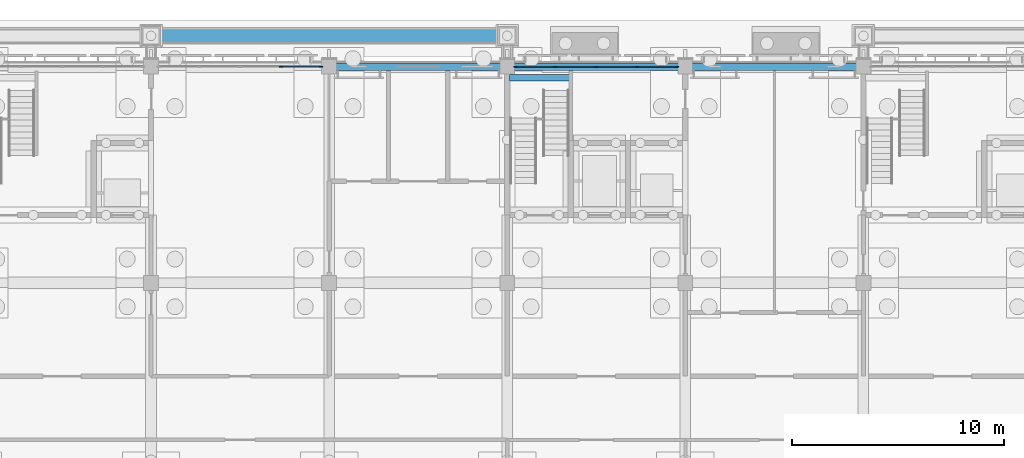
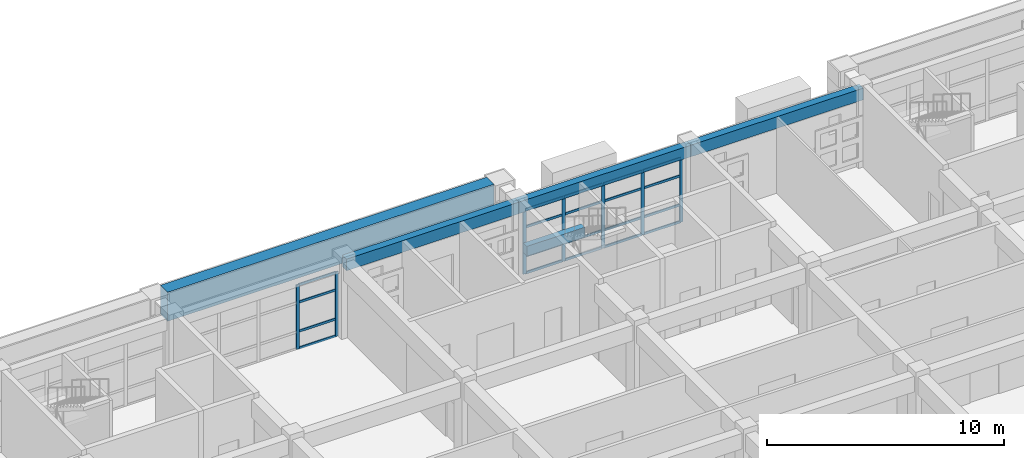
# One storey, part 41 of 112: 27 members, 5 beams, 2 elements without a shape of their own.
"""IFC4 building model written with IfcOpenShell, lengths in metres."""

from ifc_helpers import new_model, si_unit, direction, frame, origin, origin_2d, place, context, subcontext, project, spatial, rectangle, extrude, material, layer, layer_set, material_profile, profile_set, type_object, element, aggregate, save


model = new_model("IFC4")

# Units and contexts
model_context = context("Model", 3, precision=1e-05, world=origin(), true_north=direction((0.0, 1.0)))
body_context = subcontext(model_context, "Body", "Model", "MODEL_VIEW")
ifc_project = project(units=[si_unit("LENGTHUNIT", "METRE"), si_unit("AREAUNIT", "SQUARE_METRE"), si_unit("VOLUMEUNIT", "CUBIC_METRE"), si_unit("PLANEANGLEUNIT", "RADIAN"), si_unit("MASSUNIT", "GRAM", prefix="KILO")], contexts=[model_context])

# Site, building, storey
site_placement = place(None, origin())
site = spatial("IfcSite", under=ifc_project, at=site_placement, CompositionType="ELEMENT")
building_placement = place(site_placement, origin())
building = spatial("IfcBuilding", under=site, at=building_placement, Name="Wasatch Bagh Community Centre", CompositionType="ELEMENT")
storey_placement = place(building_placement, origin())
storey = spatial("IfcBuildingStorey", under=building, at=storey_placement, Name="L00", CompositionType="ELEMENT", Elevation=0.0)

# Beams
ifc_material_1 = material(Name="Concrete C35", Category="concrete")
ifc_material_profile_1 = material_profile(ifc_material_1, rectangle(XDim=0.300048828125, YDim=0.5, at=origin_2d()), Name="RC 300x500")
ifc_profile_set_1 = profile_set([ifc_material_profile_1], Name="Concrete C35")
beam_type_1 = type_object("IfcBeamType", Name="LW RC 300x500", PredefinedType="BEAM", material=ifc_profile_set_1)
beam_1_placement = place(storey_placement, frame((106.10498046875, 97.280029296875, 1.64990234375), z_axis=(1.0, 0.0, 0.0), x_axis=(0.0, 1.0, 0.0)))
element("IfcBeam", 1, at=beam_1_placement, inside=storey, type_object=beam_type_1, Name="LW.lbeam.L00.C2", PredefinedType="BEAM", context=body_context, shape_type="SweptSolid", body=[
    extrude(rectangle(XDim=0.300048828125, YDim=0.5, at=origin_2d()), origin(), (0.0, 0.0, 1.0), 2.840087890625),
])
ifc_material_profile_2 = material_profile(ifc_material_1, rectangle(XDim=0.35009765625, YDim=0.60009765625, at=origin_2d()), Name="RC 350x600")
ifc_profile_set_2 = profile_set([ifc_material_profile_2], Name="Concrete C35")
beam_type_2 = type_object("IfcBeamType", Name="LW RC 350x600", PredefinedType="BEAM", material=ifc_profile_set_2)
for number, where, z_axis, x_axis, name in (
    (2, (97.60009765625, 97.800048828125, 3.6201171875), (1.0, 0.0, 0.0), (0.0, 1.0, 0.0), "W5-W6N"),
    (3, (106.0, 97.800048828125, 3.6201171875), (1.0, 0.0, 0.0), (0.0, 1.0, 0.0), "W6-W7N"),
):
    element("IfcBeam", number, at=place(storey_placement, frame(where, z_axis=z_axis, x_axis=x_axis)), inside=storey, type_object=beam_type_2, Name=name, PredefinedType="BEAM", context=body_context, shape_type="SweptSolid", body=[
        extrude(rectangle(XDim=0.35009765625, YDim=0.60009765625, at=origin_2d()), origin(), (0.0, 0.0, 1.0), 8.39990234375),
    ])
beam_2_placement = place(storey_placement, frame((114.39990234375, 97.800048828125, 3.6201171875), z_axis=(1.0, 0.0, 0.0), x_axis=(0.0, 1.0, 0.0)))
element("IfcBeam", 4, at=beam_2_placement, inside=storey, type_object=beam_type_2, Name="W7-W8N", PredefinedType="BEAM", context=body_context, shape_type="SweptSolid", body=[
    extrude(rectangle(XDim=0.35009765625, YDim=0.60009765625, at=origin_2d()), origin(), (0.0, 0.0, 1.0), 8.400146484375),
])

# Curtain wall, members
ifc_material_2 = material(Name="Aluminium curtain wall frame with low-iron glass", Category="aluminium")
ifc_layer_1 = layer(ifc_material_2, 0.10009765625)
ifc_layer_set_1 = layer_set([ifc_layer_1], Name="Aluminium curtain wall frame with low-iron glass")
curtain_wall_type_1 = type_object("IfcCurtainWallType", Name="LW curtain wall 100", PredefinedType="NOTDEFINED", material=ifc_layer_set_1)
curtain_wall_1_placement = place(storey_placement, origin())
curtain_wall_1 = element("IfcCurtainWall", 5, at=curtain_wall_1_placement, inside=storey, type_object=curtain_wall_type_1, Name="Curtain wall 00.09", PredefinedType="NOTDEFINED")
ifc_material_3 = material(Name="Aluminium extrusion", Category="aluminium")
ifc_material_profile_3 = material_profile(ifc_material_3, rectangle(XDim=0.06005859375, YDim=0.159912109375, at=origin_2d()), Name="AL 60x160")
ifc_profile_set_3 = profile_set([ifc_material_profile_3], Name="Aluminium extrusion")
member_type_1 = type_object("IfcMemberType", Name="LW curtain wall mullion 60x160", PredefinedType="MULLION", material=ifc_profile_set_3)
member_1_placement = place(storey_placement, frame((106.3798828125, 97.800048828125, 0.0), z_axis=(0.0, 0.0, 1.0), x_axis=(0.0, 1.0, 0.0)))
member_1 = element("IfcMember", 6, at=member_1_placement, type_object=member_type_1, Name="LW-CW1 mullion 1", PredefinedType="MULLION", context=body_context, shape_type="SweptSolid", body=[
    extrude(rectangle(XDim=0.06005859375, YDim=0.159912109375, at=origin_2d()), origin(), (0.0, 0.0, 1.0), 3.320068359375),
])
member_2_placement = place(storey_placement, frame((108.27490234375, 97.800048828125, 0.0), z_axis=(0.0, 0.0, 1.0), x_axis=(0.0, 1.0, 0.0)))
member_2 = element("IfcMember", 7, at=member_2_placement, type_object=member_type_1, Name="LW-CW1 mullion 2", PredefinedType="MULLION", context=body_context, shape_type="SweptSolid", body=[
    extrude(rectangle(XDim=0.06005859375, YDim=0.159912109375, at=origin_2d()), origin(), (0.0, 0.0, 1.0), 3.320068359375),
])
member_3_placement = place(storey_placement, frame((110.199951171875, 97.800048828125, 0.0), z_axis=(0.0, 0.0, 1.0), x_axis=(0.0, 1.0, 0.0)))
member_3 = element("IfcMember", 8, at=member_3_placement, type_object=member_type_1, Name="LW-CW1 mullion 3", PredefinedType="MULLION", context=body_context, shape_type="SweptSolid", body=[
    extrude(rectangle(XDim=0.06005859375, YDim=0.159912109375, at=origin_2d()), origin(), (0.0, 0.0, 1.0), 3.320068359375),
])
member_4_placement = place(storey_placement, frame((112.125, 97.800048828125, 0.0), z_axis=(0.0, 0.0, 1.0), x_axis=(0.0, 1.0, 0.0)))
member_4 = element("IfcMember", 9, at=member_4_placement, type_object=member_type_1, Name="LW-CW1 mullion 4", PredefinedType="MULLION", context=body_context, shape_type="SweptSolid", body=[
    extrude(rectangle(XDim=0.06005859375, YDim=0.159912109375, at=origin_2d()), origin(), (0.0, 0.0, 1.0), 3.320068359375),
])
member_5_placement = place(storey_placement, frame((114.02001953125, 97.800048828125, 0.0), z_axis=(0.0, 0.0, 1.0), x_axis=(0.0, 1.0, 0.0)))
member_5 = element("IfcMember", 10, at=member_5_placement, type_object=member_type_1, Name="LW-CW1 mullion 5", PredefinedType="MULLION", context=body_context, shape_type="SweptSolid", body=[
    extrude(rectangle(XDim=0.06005859375, YDim=0.159912109375, at=origin_2d()), origin(), (0.0, 0.0, 1.0), 3.320068359375),
])

ifc_layer_2 = layer(ifc_material_2, 0.1201171875)
ifc_layer_set_2 = layer_set([ifc_layer_2], Name="Aluminium curtain wall frame with low-iron glass")
curtain_wall_type_2 = type_object("IfcCurtainWallType", Name="LW study front curtain wall 120", PredefinedType="NOTDEFINED", material=ifc_layer_set_2)
curtain_wall_2_placement = place(storey_placement, origin())
curtain_wall_2 = element("IfcCurtainWall", 11, at=curtain_wall_2_placement, inside=storey, type_object=curtain_wall_type_2, Name="Curtain wall 00.08", PredefinedType="NOTDEFINED")
ifc_material_profile_4 = material_profile(ifc_material_3, rectangle(XDim=0.06005859375, YDim=0.159912109375, at=origin_2d()), Name="AL 60x160")
ifc_profile_set_4 = profile_set([ifc_material_profile_4], Name="Aluminium extrusion")
member_type_2 = type_object("IfcMemberType", Name="LW curtain wall mullion 60x160 LW-CW2", PredefinedType="MULLION", material=ifc_profile_set_4)
member_6_placement = place(storey_placement, frame((95.324951171875, 97.800048828125, 0.0), z_axis=(0.0, 0.0, 1.0), x_axis=(0.0, 1.0, 0.0)))
member_6 = element("IfcMember", 12, at=member_6_placement, type_object=member_type_2, Name="LW-CW2 mullion 4", PredefinedType="MULLION", context=body_context, shape_type="SweptSolid", body=[
    extrude(rectangle(XDim=0.06005859375, YDim=0.159912109375, at=origin_2d()), origin(), (0.0, 0.0, 1.0), 3.320068359375),
])
member_7_placement = place(storey_placement, frame((97.219970703125, 97.800048828125, 0.0), z_axis=(0.0, 0.0, 1.0), x_axis=(0.0, 1.0, 0.0)))
member_7 = element("IfcMember", 13, at=member_7_placement, type_object=member_type_2, Name="LW-CW2 mullion 5", PredefinedType="MULLION", context=body_context, shape_type="SweptSolid", body=[
    extrude(rectangle(XDim=0.06005859375, YDim=0.159912109375, at=origin_2d()), origin(), (0.0, 0.0, 1.0), 3.320068359375),
])

# Member
ifc_material_profile_5 = material_profile(ifc_material_3, rectangle(XDim=0.06005859375, YDim=0.1201171875, at=origin_2d()), Name="AL 60x120")
ifc_profile_set_5 = profile_set([ifc_material_profile_5], Name="Aluminium extrusion")
member_type_3 = type_object("IfcMemberType", Name="LW curtain wall transom 60x120", PredefinedType="USERDEFINED", material=ifc_profile_set_5)
member_8_placement = place(storey_placement, frame((106.409912109375, 97.800048828125, 0.030029296875), z_axis=(1.0, 0.0, 0.0), x_axis=(0.0, 1.0, 0.0)))
member_8 = element("IfcMember", 14, at=member_8_placement, type_object=member_type_3, Name="LW-CW1 transom 1.1", ObjectType="TRANSOM", PredefinedType="USERDEFINED", context=body_context, shape_type="SweptSolid", body=[
    extrude(rectangle(XDim=0.06005859375, YDim=0.1201171875, at=origin_2d()), origin(), (0.0, 0.0, 1.0), 1.835205078125),
])

member_9_placement = place(storey_placement, frame((106.409912109375, 97.800048828125, 0.89990234375), z_axis=(1.0, 0.0, 0.0), x_axis=(0.0, 1.0, 0.0)))
member_9 = element("IfcMember", 15, at=member_9_placement, type_object=member_type_3, Name="LW-CW1 transom 1.2", ObjectType="TRANSOM", PredefinedType="USERDEFINED", context=body_context, shape_type="SweptSolid", body=[
    extrude(rectangle(XDim=0.06005859375, YDim=0.1201171875, at=origin_2d()), origin(), (0.0, 0.0, 1.0), 1.835205078125),
])

member_10_placement = place(storey_placement, frame((106.409912109375, 97.800048828125, 2.39990234375), z_axis=(1.0, 0.0, 0.0), x_axis=(0.0, 1.0, 0.0)))
member_10 = element("IfcMember", 16, at=member_10_placement, type_object=member_type_3, Name="LW-CW1 transom 1.3", ObjectType="TRANSOM", PredefinedType="USERDEFINED", context=body_context, shape_type="SweptSolid", body=[
    extrude(rectangle(XDim=0.06005859375, YDim=0.1201171875, at=origin_2d()), origin(), (0.0, 0.0, 1.0), 1.835205078125),
])

member_11_placement = place(storey_placement, frame((106.409912109375, 97.800048828125, 3.2900390625), z_axis=(1.0, 0.0, 0.0), x_axis=(0.0, 1.0, 0.0)))
member_11 = element("IfcMember", 17, at=member_11_placement, type_object=member_type_3, Name="LW-CW1 transom 1.4", ObjectType="TRANSOM", PredefinedType="USERDEFINED", context=body_context, shape_type="SweptSolid", body=[
    extrude(rectangle(XDim=0.06005859375, YDim=0.1201171875, at=origin_2d()), origin(), (0.0, 0.0, 1.0), 1.835205078125),
])

member_12_placement = place(storey_placement, frame((108.304931640625, 97.800048828125, 0.030029296875), z_axis=(1.0, 0.0, 0.0), x_axis=(0.0, 1.0, 0.0)))
member_12 = element("IfcMember", 18, at=member_12_placement, type_object=member_type_3, Name="LW-CW1 transom 2.1", ObjectType="TRANSOM", PredefinedType="USERDEFINED", context=body_context, shape_type="SweptSolid", body=[
    extrude(rectangle(XDim=0.06005859375, YDim=0.1201171875, at=origin_2d()), origin(), (0.0, 0.0, 1.0), 1.864990234375),
])

member_13_placement = place(storey_placement, frame((108.304931640625, 97.800048828125, 0.89990234375), z_axis=(1.0, 0.0, 0.0), x_axis=(0.0, 1.0, 0.0)))
member_13 = element("IfcMember", 19, at=member_13_placement, type_object=member_type_3, Name="LW-CW1 transom 2.2", ObjectType="TRANSOM", PredefinedType="USERDEFINED", context=body_context, shape_type="SweptSolid", body=[
    extrude(rectangle(XDim=0.06005859375, YDim=0.1201171875, at=origin_2d()), origin(), (0.0, 0.0, 1.0), 1.864990234375),
])

member_14_placement = place(storey_placement, frame((108.304931640625, 97.800048828125, 2.39990234375), z_axis=(1.0, 0.0, 0.0), x_axis=(0.0, 1.0, 0.0)))
member_14 = element("IfcMember", 20, at=member_14_placement, type_object=member_type_3, Name="LW-CW1 transom 2.3", ObjectType="TRANSOM", PredefinedType="USERDEFINED", context=body_context, shape_type="SweptSolid", body=[
    extrude(rectangle(XDim=0.06005859375, YDim=0.1201171875, at=origin_2d()), origin(), (0.0, 0.0, 1.0), 1.864990234375),
])

member_15_placement = place(storey_placement, frame((108.304931640625, 97.800048828125, 3.2900390625), z_axis=(1.0, 0.0, 0.0), x_axis=(0.0, 1.0, 0.0)))
member_15 = element("IfcMember", 21, at=member_15_placement, type_object=member_type_3, Name="LW-CW1 transom 2.4", ObjectType="TRANSOM", PredefinedType="USERDEFINED", context=body_context, shape_type="SweptSolid", body=[
    extrude(rectangle(XDim=0.06005859375, YDim=0.1201171875, at=origin_2d()), origin(), (0.0, 0.0, 1.0), 1.864990234375),
])

member_16_placement = place(storey_placement, frame((110.22998046875, 97.800048828125, 0.030029296875), z_axis=(1.0, 0.0, 0.0), x_axis=(0.0, 1.0, 0.0)))
member_16 = element("IfcMember", 22, at=member_16_placement, type_object=member_type_3, Name="LW-CW1 transom 3.1", ObjectType="TRANSOM", PredefinedType="USERDEFINED", context=body_context, shape_type="SweptSolid", body=[
    extrude(rectangle(XDim=0.06005859375, YDim=0.1201171875, at=origin_2d()), origin(), (0.0, 0.0, 1.0), 1.864990234375),
])

member_17_placement = place(storey_placement, frame((110.22998046875, 97.800048828125, 0.89990234375), z_axis=(1.0, 0.0, 0.0), x_axis=(0.0, 1.0, 0.0)))
member_17 = element("IfcMember", 23, at=member_17_placement, type_object=member_type_3, Name="LW-CW1 transom 3.2", ObjectType="TRANSOM", PredefinedType="USERDEFINED", context=body_context, shape_type="SweptSolid", body=[
    extrude(rectangle(XDim=0.06005859375, YDim=0.1201171875, at=origin_2d()), origin(), (0.0, 0.0, 1.0), 1.864990234375),
])

member_18_placement = place(storey_placement, frame((110.22998046875, 97.800048828125, 2.39990234375), z_axis=(1.0, 0.0, 0.0), x_axis=(0.0, 1.0, 0.0)))
member_18 = element("IfcMember", 24, at=member_18_placement, type_object=member_type_3, Name="LW-CW1 transom 3.3", ObjectType="TRANSOM", PredefinedType="USERDEFINED", context=body_context, shape_type="SweptSolid", body=[
    extrude(rectangle(XDim=0.06005859375, YDim=0.1201171875, at=origin_2d()), origin(), (0.0, 0.0, 1.0), 1.864990234375),
])

member_19_placement = place(storey_placement, frame((110.22998046875, 97.800048828125, 3.2900390625), z_axis=(1.0, 0.0, 0.0), x_axis=(0.0, 1.0, 0.0)))
member_19 = element("IfcMember", 25, at=member_19_placement, type_object=member_type_3, Name="LW-CW1 transom 3.4", ObjectType="TRANSOM", PredefinedType="USERDEFINED", context=body_context, shape_type="SweptSolid", body=[
    extrude(rectangle(XDim=0.06005859375, YDim=0.1201171875, at=origin_2d()), origin(), (0.0, 0.0, 1.0), 1.864990234375),
])

member_20_placement = place(storey_placement, frame((112.155029296875, 97.800048828125, 0.030029296875), z_axis=(1.0, 0.0, 0.0), x_axis=(0.0, 1.0, 0.0)))
member_20 = element("IfcMember", 26, at=member_20_placement, type_object=member_type_3, Name="LW-CW1 transom 4.1", ObjectType="TRANSOM", PredefinedType="USERDEFINED", context=body_context, shape_type="SweptSolid", body=[
    extrude(rectangle(XDim=0.06005859375, YDim=0.1201171875, at=origin_2d()), origin(), (0.0, 0.0, 1.0), 1.8349609375),
])

member_21_placement = place(storey_placement, frame((112.155029296875, 97.800048828125, 0.89990234375), z_axis=(1.0, 0.0, 0.0), x_axis=(0.0, 1.0, 0.0)))
member_21 = element("IfcMember", 27, at=member_21_placement, type_object=member_type_3, Name="LW-CW1 transom 4.2", ObjectType="TRANSOM", PredefinedType="USERDEFINED", context=body_context, shape_type="SweptSolid", body=[
    extrude(rectangle(XDim=0.06005859375, YDim=0.1201171875, at=origin_2d()), origin(), (0.0, 0.0, 1.0), 1.8349609375),
])

member_22_placement = place(storey_placement, frame((112.155029296875, 97.800048828125, 2.39990234375), z_axis=(1.0, 0.0, 0.0), x_axis=(0.0, 1.0, 0.0)))
member_22 = element("IfcMember", 28, at=member_22_placement, type_object=member_type_3, Name="LW-CW1 transom 4.3", ObjectType="TRANSOM", PredefinedType="USERDEFINED", context=body_context, shape_type="SweptSolid", body=[
    extrude(rectangle(XDim=0.06005859375, YDim=0.1201171875, at=origin_2d()), origin(), (0.0, 0.0, 1.0), 1.8349609375),
])

member_23_placement = place(storey_placement, frame((112.155029296875, 97.800048828125, 3.2900390625), z_axis=(1.0, 0.0, 0.0), x_axis=(0.0, 1.0, 0.0)))
member_23 = element("IfcMember", 29, at=member_23_placement, type_object=member_type_3, Name="LW-CW1 transom 4.4", ObjectType="TRANSOM", PredefinedType="USERDEFINED", context=body_context, shape_type="SweptSolid", body=[
    extrude(rectangle(XDim=0.06005859375, YDim=0.1201171875, at=origin_2d()), origin(), (0.0, 0.0, 1.0), 1.8349609375),
])

aggregate(curtain_wall_1, [member_1, member_2, member_3, member_4, member_5, member_8, member_9, member_10, member_11, member_12, member_13, member_14, member_15, member_16, member_17, member_18, member_19, member_20, member_21, member_22, member_23])

ifc_material_profile_6 = material_profile(ifc_material_3, rectangle(XDim=0.06005859375, YDim=0.1201171875, at=origin_2d()), Name="AL 60x120")
ifc_profile_set_6 = profile_set([ifc_material_profile_6], Name="Aluminium extrusion")
member_type_4 = type_object("IfcMemberType", Name="LW curtain wall transom 60x120 LW-CW2", PredefinedType="USERDEFINED", material=ifc_profile_set_6)
member_24_placement = place(storey_placement, frame((95.35498046875, 97.800048828125, 0.030029296875), z_axis=(1.0, 0.0, 0.0), x_axis=(0.0, 1.0, 0.0)))
member_24 = element("IfcMember", 30, at=member_24_placement, type_object=member_type_4, Name="LW-CW2 transom 4.1", ObjectType="TRANSOM", PredefinedType="USERDEFINED", context=body_context, shape_type="SweptSolid", body=[
    extrude(rectangle(XDim=0.06005859375, YDim=0.1201171875, at=origin_2d()), origin(), (0.0, 0.0, 1.0), 1.8349609375),
])

member_25_placement = place(storey_placement, frame((95.35498046875, 97.800048828125, 0.89990234375), z_axis=(1.0, 0.0, 0.0), x_axis=(0.0, 1.0, 0.0)))
member_25 = element("IfcMember", 31, at=member_25_placement, type_object=member_type_4, Name="LW-CW2 transom 4.2", ObjectType="TRANSOM", PredefinedType="USERDEFINED", context=body_context, shape_type="SweptSolid", body=[
    extrude(rectangle(XDim=0.06005859375, YDim=0.1201171875, at=origin_2d()), origin(), (0.0, 0.0, 1.0), 1.8349609375),
])

member_26_placement = place(storey_placement, frame((95.35498046875, 97.800048828125, 2.39990234375), z_axis=(1.0, 0.0, 0.0), x_axis=(0.0, 1.0, 0.0)))
member_26 = element("IfcMember", 32, at=member_26_placement, type_object=member_type_4, Name="LW-CW2 transom 4.3", ObjectType="TRANSOM", PredefinedType="USERDEFINED", context=body_context, shape_type="SweptSolid", body=[
    extrude(rectangle(XDim=0.06005859375, YDim=0.1201171875, at=origin_2d()), origin(), (0.0, 0.0, 1.0), 1.8349609375),
])

member_27_placement = place(storey_placement, frame((95.35498046875, 97.800048828125, 3.2900390625), z_axis=(1.0, 0.0, 0.0), x_axis=(0.0, 1.0, 0.0)))
member_27 = element("IfcMember", 33, at=member_27_placement, type_object=member_type_4, Name="LW-CW2 transom 4.4", ObjectType="TRANSOM", PredefinedType="USERDEFINED", context=body_context, shape_type="SweptSolid", body=[
    extrude(rectangle(XDim=0.06005859375, YDim=0.1201171875, at=origin_2d()), origin(), (0.0, 0.0, 1.0), 1.8349609375),
])

aggregate(curtain_wall_2, [member_6, member_7, member_24, member_25, member_26, member_27])

# Beam
ifc_material_profile_7 = material_profile(ifc_material_1, rectangle(XDim=0.60009765625, YDim=1.5, at=origin_2d()), Name="RC 600x1500")
ifc_profile_set_7 = profile_set([ifc_material_profile_7], Name="Concrete C35")
beam_type_3 = type_object("IfcBeamType", Name="LW-B7", PredefinedType="BEAM", material=ifc_profile_set_7)
beam_3_placement = place(storey_placement, frame((89.64990234375, 99.25, 3.449951171875), z_axis=(1.0, 0.0, 0.0), x_axis=(0.0, 1.0, 0.0)))
element("IfcBeam", 34, at=beam_3_placement, inside=storey, type_object=beam_type_3, Name="LW-B7 arcade girder B2", PredefinedType="BEAM", context=body_context, shape_type="SweptSolid", body=[
    extrude(rectangle(XDim=0.60009765625, YDim=1.5, at=origin_2d()), origin(), (0.0, 0.0, 1.0), 15.900146484375),
])

save(model, "model.ifc")
